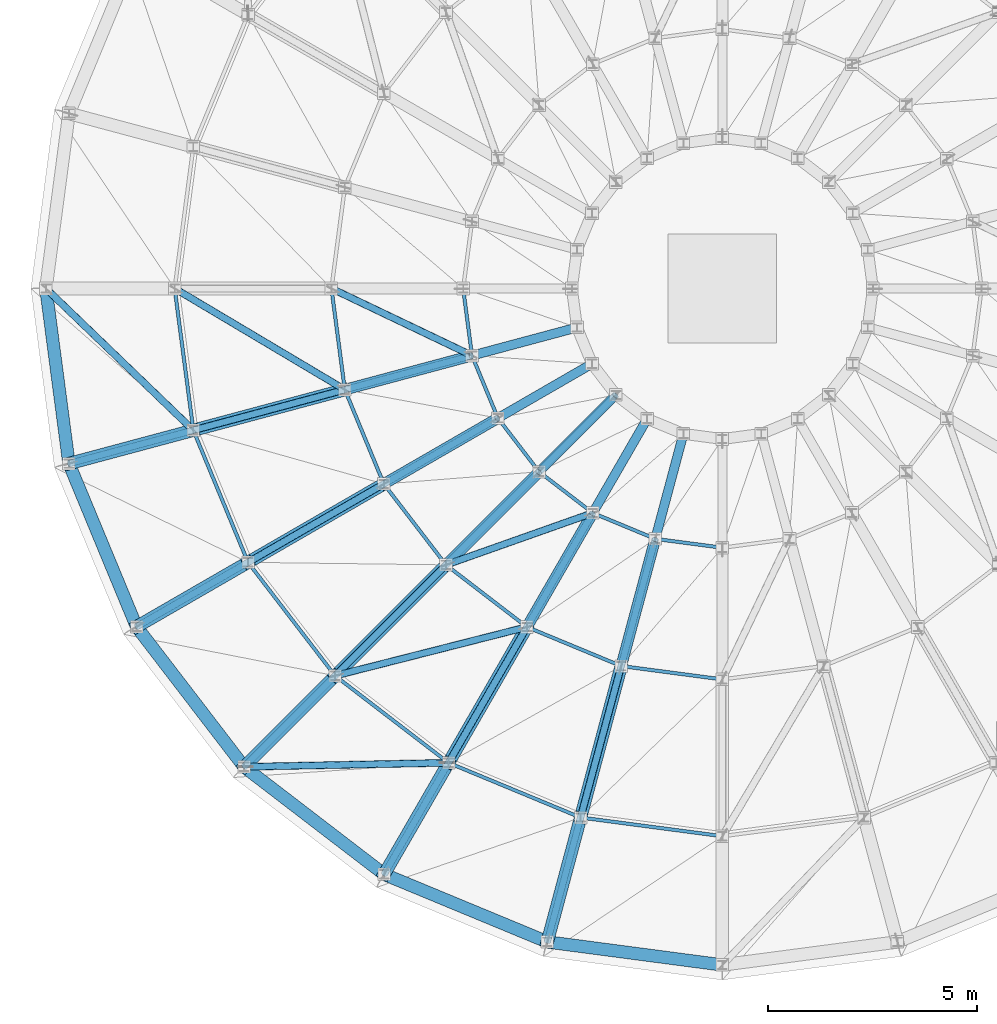
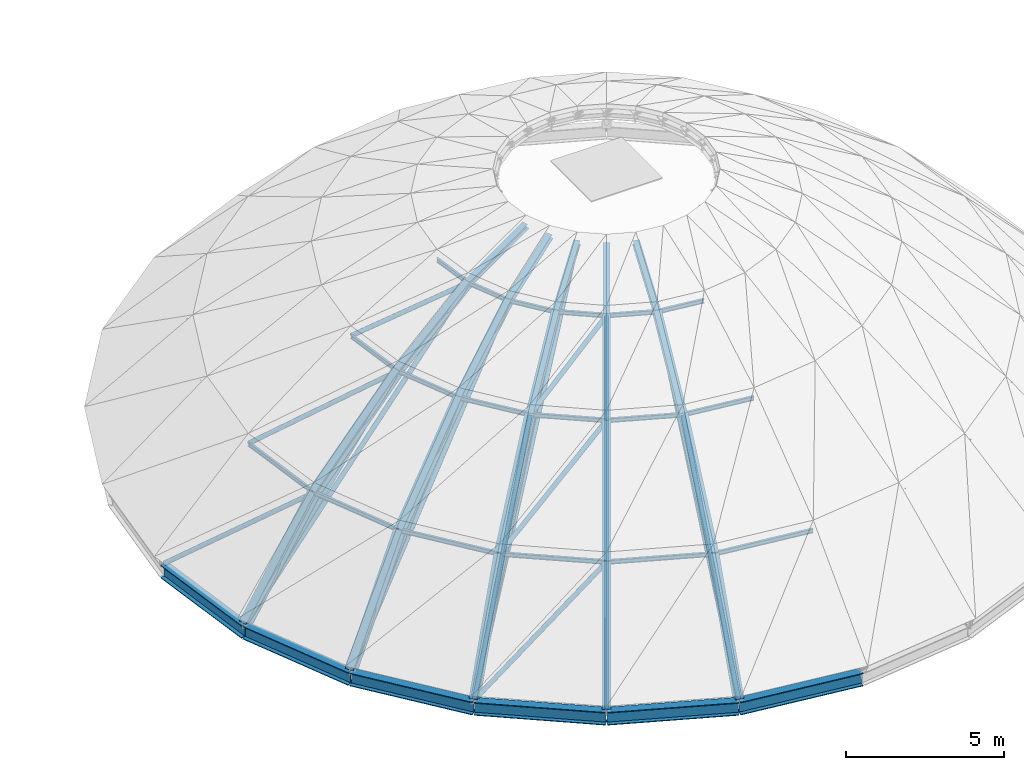
# One storey, part 1 of 19: 35 members, 26 beams.
"""IFC4 building model written with IfcOpenShell, lengths in metres."""

from ifc_helpers import new_model, si_unit, direction, frame, origin, origin_2d, place, context, subcontext, project, spatial, hollow_circle, i_section, extrude, material, material_profile, profile_set, type_object, element, save


model = new_model("IFC4")

# Units and contexts
model_context = context("Model", 3, precision=1e-05, world=origin(), true_north=direction((0.0, 1.0)))
body_context = subcontext(model_context, "Body", "Model", "MODEL_VIEW")
ifc_project = project(units=[si_unit("LENGTHUNIT", "METRE"), si_unit("AREAUNIT", "SQUARE_METRE"), si_unit("VOLUMEUNIT", "CUBIC_METRE"), si_unit("PLANEANGLEUNIT", "RADIAN"), si_unit("MASSUNIT", "GRAM", prefix="KILO")], contexts=[model_context])

# Site, building, storey
site_placement = place(None, origin())
site = spatial("IfcSite", under=ifc_project, at=site_placement, CompositionType="ELEMENT")
building_placement = place(site_placement, origin())
building = spatial("IfcBuilding", under=site, at=building_placement, Name="Montecoro Central Library", CompositionType="ELEMENT")
storey_placement = place(building_placement, frame((0.0, 0.0, 25.5)))
storey = spatial("IfcBuildingStorey", under=building, at=storey_placement, Name="ROOF", CompositionType="ELEMENT", Elevation=25.5)

# Beams
ifc_material_1 = material(Name="Steel S355J2", Category="steel")
ifc_material_profile_1 = material_profile(ifc_material_1, i_section(OverallWidth=0.219970703125, OverallDepth=0.2099609375, WebThickness=0.007080078125, FlangeThickness=0.010986328125, at=origin_2d()), Name="HEA 220")
ifc_profile_set_1 = profile_set([ifc_material_profile_1], Name="Steel S355J2")
beam_type_1 = type_object("IfcBeamType", Name="BM-DR-HEA220", PredefinedType="BEAM", material=ifc_profile_set_1)
beam_1_placement = place(storey_placement, frame((85.611083984375, 33.794921875, 0.10009765625), z_axis=(0.908409618721, 0.243413871009, 0.33991418331), x_axis=(-0.258825242926, 0.965924165566, 0.0)))
element("IfcBeam", 1, at=beam_1_placement, inside=storey, type_object=beam_type_1, Name="V1-DOME-RIB-14-S4", PredefinedType="BEAM", context=body_context, shape_type="SweptSolid", body=[
    extrude(i_section(OverallWidth=0.219970703125, OverallDepth=0.2099609375, WebThickness=0.007080078125, FlangeThickness=0.010986328125, at=origin_2d()), origin(), (0.0, 0.0, 1.0), 2.76513671875),
])
beam_2_placement = place(storey_placement, frame((86.23095703125, 32.300048828125, 0.10009765625), z_axis=(0.814347436961, 0.470325390653, 0.340047465542), x_axis=(-0.500128937424, 0.865950948929, 0.0)))
element("IfcBeam", 2, at=beam_2_placement, inside=storey, type_object=beam_type_1, Name="V1-DOME-RIB-15-S4", PredefinedType="BEAM", context=body_context, shape_type="SweptSolid", body=[
    extrude(i_section(OverallWidth=0.219970703125, OverallDepth=0.2099609375, WebThickness=0.007080078125, FlangeThickness=0.010986328125, at=origin_2d()), origin(), (0.0, 0.0, 1.0), 2.76416015625),
])
beam_3_placement = place(storey_placement, frame((87.216064453125, 31.01611328125, 0.10009765625), z_axis=(0.664961450013, 0.664961450013, 0.340077255918), x_axis=(-0.707106781187, 0.707106781187, 0.0)))
element("IfcBeam", 3, at=beam_3_placement, inside=storey, type_object=beam_type_1, Name="V1-DOME-RIB-16-S4", PredefinedType="BEAM", context=body_context, shape_type="SweptSolid", body=[
    extrude(i_section(OverallWidth=0.219970703125, OverallDepth=0.2099609375, WebThickness=0.007080078125, FlangeThickness=0.010986328125, at=origin_2d()), origin(), (0.0, 0.0, 1.0), 2.763916015625),
])
beam_4_placement = place(storey_placement, frame((88.5, 30.031005859375, 0.10009765625), z_axis=(0.470325390653, 0.814347436961, 0.340047465542), x_axis=(-0.865950948929, 0.500128937424, 0.0)))
element("IfcBeam", 4, at=beam_4_placement, inside=storey, type_object=beam_type_1, Name="V1-DOME-RIB-17-S4", PredefinedType="BEAM", context=body_context, shape_type="SweptSolid", body=[
    extrude(i_section(OverallWidth=0.219970703125, OverallDepth=0.2099609375, WebThickness=0.007080078125, FlangeThickness=0.010986328125, at=origin_2d()), origin(), (0.0, 0.0, 1.0), 2.76416015625),
])
beam_5_placement = place(storey_placement, frame((89.9951171875, 29.410888671875, 0.10009765625), z_axis=(0.243311294823, 0.908444565939, 0.339894225351), x_axis=(-0.965953916576, 0.258714187958, 0.0)))
element("IfcBeam", 5, at=beam_5_placement, inside=storey, type_object=beam_type_1, Name="V1-DOME-RIB-18-S4", PredefinedType="BEAM", context=body_context, shape_type="SweptSolid", body=[
    extrude(i_section(OverallWidth=0.219970703125, OverallDepth=0.2099609375, WebThickness=0.007080078125, FlangeThickness=0.010986328125, at=origin_2d()), origin(), (0.0, 0.0, 1.0), 2.765380859375),
])
ifc_material_profile_2 = material_profile(ifc_material_1, i_section(OverallWidth=0.260009765625, OverallDepth=0.25, WebThickness=0.007568359375, FlangeThickness=0.012451171875, at=origin_2d()), Name="HEA 260")
ifc_profile_set_2 = profile_set([ifc_material_profile_2], Name="Steel S355J2")
beam_type_2 = type_object("IfcBeamType", Name="BM-DR-HEA260", PredefinedType="BEAM", material=ifc_profile_set_2)
beam_6_placement = place(storey_placement, frame((82.569091796875, 32.97998046875, -1.75), z_axis=(0.832853598392, 0.223119206375, 0.506530061687), x_axis=(-0.258772251746, 0.965938363316, 0.0)))
element("IfcBeam", 6, at=beam_6_placement, inside=storey, type_object=beam_type_2, Name="V1-DOME-RIB-14-S3", PredefinedType="BEAM", context=body_context, shape_type="SweptSolid", body=[
    extrude(i_section(OverallWidth=0.260009765625, OverallDepth=0.25, WebThickness=0.007568359375, FlangeThickness=0.012451171875, at=origin_2d()), origin(), (0.0, 0.0, 1.0), 3.652587890625),
])
beam_7_placement = place(storey_placement, frame((83.5029296875, 30.72509765625, -1.75), z_axis=(0.746761384172, 0.431122041283, 0.506439750247), x_axis=(-0.499981869177, 0.866035871367, 0.0)))
element("IfcBeam", 7, at=beam_7_placement, inside=storey, type_object=beam_type_2, Name="V1-DOME-RIB-15-S3", PredefinedType="BEAM", context=body_context, shape_type="SweptSolid", body=[
    extrude(i_section(OverallWidth=0.260009765625, OverallDepth=0.25, WebThickness=0.007568359375, FlangeThickness=0.012451171875, at=origin_2d()), origin(), (0.0, 0.0, 1.0), 3.653076171875),
])
beam_8_placement = place(storey_placement, frame((84.989013671875, 28.7890625, -1.75), z_axis=(0.609696360037, 0.609696360037, 0.506498467042), x_axis=(-0.707106781187, 0.707106781187, 0.0)))
element("IfcBeam", 8, at=beam_8_placement, inside=storey, type_object=beam_type_2, Name="V1-DOME-RIB-16-S3", PredefinedType="BEAM", context=body_context, shape_type="SweptSolid", body=[
    extrude(i_section(OverallWidth=0.260009765625, OverallDepth=0.25, WebThickness=0.007568359375, FlangeThickness=0.012451171875, at=origin_2d()), origin(), (0.0, 0.0, 1.0), 3.65283203125),
])
beam_9_placement = place(storey_placement, frame((86.925048828125, 27.302978515625, -1.75), z_axis=(0.431122041283, 0.746761384172, 0.506439750247), x_axis=(-0.866035871367, 0.499981869177, 0.0)))
element("IfcBeam", 9, at=beam_9_placement, inside=storey, type_object=beam_type_2, Name="V1-DOME-RIB-17-S3", PredefinedType="BEAM", context=body_context, shape_type="SweptSolid", body=[
    extrude(i_section(OverallWidth=0.260009765625, OverallDepth=0.25, WebThickness=0.007568359375, FlangeThickness=0.012451171875, at=origin_2d()), origin(), (0.0, 0.0, 1.0), 3.653076171875),
])
beam_10_placement = place(storey_placement, frame((89.179931640625, 26.368896484375, -1.75), z_axis=(0.223182719587, 0.832841175818, 0.506522506449), x_axis=(-0.965918983464, 0.258844581524, 0.0)))
element("IfcBeam", 10, at=beam_10_placement, inside=storey, type_object=beam_type_2, Name="V1-DOME-RIB-18-S3", PredefinedType="BEAM", context=body_context, shape_type="SweptSolid", body=[
    extrude(i_section(OverallWidth=0.260009765625, OverallDepth=0.25, WebThickness=0.007568359375, FlangeThickness=0.012451171875, at=origin_2d()), origin(), (0.0, 0.0, 1.0), 3.652587890625),
])
ifc_material_profile_3 = material_profile(ifc_material_1, i_section(OverallWidth=0.300048828125, OverallDepth=0.2900390625, WebThickness=0.008544921875, FlangeThickness=0.013916015625, at=origin_2d()), Name="HEA 300")
ifc_profile_set_3 = profile_set([ifc_material_profile_3], Name="Steel S355J2")
beam_type_3 = type_object("IfcBeamType", Name="BM-DR-HEA300", PredefinedType="BEAM", material=ifc_profile_set_3)
beam_11_placement = place(storey_placement, frame((78.946044921875, 32.009033203125, -4.60009765625), z_axis=(0.76908288872, 0.206107995178, 0.605004962461), x_axis=(-0.258857545835, 0.965915509226, 0.0)))
element("IfcBeam", 11, at=beam_11_placement, inside=storey, type_object=beam_type_3, Name="V1-DOME-RIB-14-S2", PredefinedType="BEAM", context=body_context, shape_type="SweptSolid", body=[
    extrude(i_section(OverallWidth=0.300048828125, OverallDepth=0.2900390625, WebThickness=0.008544921875, FlangeThickness=0.013916015625, at=origin_2d()), origin(), (0.0, 0.0, 1.0), 4.7109375),
])
beam_12_placement = place(storey_placement, frame((80.2548828125, 28.85009765625, -4.60009765625), z_axis=(0.689538330018, 0.398049787623, 0.605056408947), x_axis=(-0.499947857008, 0.866055506462, 0.0)))
element("IfcBeam", 12, at=beam_12_placement, inside=storey, type_object=beam_type_3, Name="V1-DOME-RIB-15-S2", PredefinedType="BEAM", context=body_context, shape_type="SweptSolid", body=[
    extrude(i_section(OverallWidth=0.300048828125, OverallDepth=0.2900390625, WebThickness=0.008544921875, FlangeThickness=0.013916015625, at=origin_2d()), origin(), (0.0, 0.0, 1.0), 4.71044921875),
])
beam_13_placement = place(storey_placement, frame((82.3369140625, 26.136962890625, -4.60009765625), z_axis=(0.562999534848, 0.562999534848, 0.605031443415), x_axis=(-0.707106781187, 0.707106781187, 0.0)))
element("IfcBeam", 13, at=beam_13_placement, inside=storey, type_object=beam_type_3, Name="V1-DOME-RIB-16-S2", PredefinedType="BEAM", context=body_context, shape_type="SweptSolid", body=[
    extrude(i_section(OverallWidth=0.300048828125, OverallDepth=0.2900390625, WebThickness=0.008544921875, FlangeThickness=0.013916015625, at=origin_2d()), origin(), (0.0, 0.0, 1.0), 4.710693359375),
])
beam_14_placement = place(storey_placement, frame((85.050048828125, 24.054931640625, -4.60009765625), z_axis=(0.398049787623, 0.689538330018, 0.605056408947), x_axis=(-0.866055506462, 0.499947857008, 0.0)))
element("IfcBeam", 14, at=beam_14_placement, inside=storey, type_object=beam_type_3, Name="V1-DOME-RIB-17-S2", PredefinedType="BEAM", context=body_context, shape_type="SweptSolid", body=[
    extrude(i_section(OverallWidth=0.300048828125, OverallDepth=0.2900390625, WebThickness=0.008544921875, FlangeThickness=0.013916015625, at=origin_2d()), origin(), (0.0, 0.0, 1.0), 4.71044921875),
])
beam_15_placement = place(storey_placement, frame((88.208984375, 22.74609375, -4.60009765625), z_axis=(0.206116210386, 0.769061716348, 0.605029077205), x_axis=(-0.965911147405, 0.25887382123, 0.0)))
element("IfcBeam", 15, at=beam_15_placement, inside=storey, type_object=beam_type_3, Name="V1-DOME-RIB-18-S2", PredefinedType="BEAM", context=body_context, shape_type="SweptSolid", body=[
    extrude(i_section(OverallWidth=0.300048828125, OverallDepth=0.2900390625, WebThickness=0.008544921875, FlangeThickness=0.013916015625, at=origin_2d()), origin(), (0.0, 0.0, 1.0), 4.710693359375),
])
ifc_material_profile_4 = material_profile(ifc_material_1, i_section(OverallWidth=0.300048828125, OverallDepth=0.330078125, WebThickness=0.009521484375, FlangeThickness=0.0166015625, at=origin_2d()), Name="HEA 340")
ifc_profile_set_4 = profile_set([ifc_material_profile_4], Name="Steel S355J2")
beam_type_4 = type_object("IfcBeamType", Name="BM-DR-HEA340", PredefinedType="BEAM", material=ifc_profile_set_4)
beam_16_placement = place(storey_placement, frame((75.970947265625, 31.2119140625, -8.159912109375), z_axis=(0.63201485263, 0.169335999822, 0.756229161841), x_axis=(-0.258802119616, 0.9659303613, 0.0)))
element("IfcBeam", 16, at=beam_16_placement, inside=storey, type_object=beam_type_4, Name="V1-DOME-RIB-14-S1", PredefinedType="BEAM", context=body_context, shape_type="SweptSolid", body=[
    extrude(i_section(OverallWidth=0.300048828125, OverallDepth=0.330078125, WebThickness=0.009521484375, FlangeThickness=0.0166015625, at=origin_2d()), origin(), (0.0, 0.0, 1.0), 4.707275390625),
])
beam_17_placement = place(storey_placement, frame((77.587890625, 27.31005859375, -8.159912109375), z_axis=(0.566588516659, 0.327173229869, 0.756263929093), x_axis=(-0.500060979923, 0.865990194147, 0.0)))
element("IfcBeam", 17, at=beam_17_placement, inside=storey, type_object=beam_type_4, Name="V1-DOME-RIB-15-S1", PredefinedType="BEAM", context=body_context, shape_type="SweptSolid", body=[
    extrude(i_section(OverallWidth=0.300048828125, OverallDepth=0.330078125, WebThickness=0.009521484375, FlangeThickness=0.0166015625, at=origin_2d()), origin(), (0.0, 0.0, 1.0), 4.70703125),
])
beam_18_placement = place(storey_placement, frame((80.158935546875, 23.958984375, -8.159912109375), z_axis=(0.462672841133, 0.462672841133, 0.756219336011), x_axis=(-0.707106781187, 0.707106781187, 0.0)))
element("IfcBeam", 18, at=beam_18_placement, inside=storey, type_object=beam_type_4, Name="V1-DOME-RIB-16-S1", PredefinedType="BEAM", context=body_context, shape_type="SweptSolid", body=[
    extrude(i_section(OverallWidth=0.300048828125, OverallDepth=0.330078125, WebThickness=0.009521484375, FlangeThickness=0.0166015625, at=origin_2d()), origin(), (0.0, 0.0, 1.0), 4.707275390625),
])
beam_19_placement = place(storey_placement, frame((83.510009765625, 21.387939453125, -8.159912109375), z_axis=(0.327173229869, 0.566588516659, 0.756263929093), x_axis=(-0.865990194147, 0.500060979923, 0.0)))
element("IfcBeam", 19, at=beam_19_placement, inside=storey, type_object=beam_type_4, Name="V1-DOME-RIB-17-S1", PredefinedType="BEAM", context=body_context, shape_type="SweptSolid", body=[
    extrude(i_section(OverallWidth=0.300048828125, OverallDepth=0.330078125, WebThickness=0.009521484375, FlangeThickness=0.0166015625, at=origin_2d()), origin(), (0.0, 0.0, 1.0), 4.70703125),
])
beam_20_placement = place(storey_placement, frame((87.412109375, 19.77099609375, -8.159912109375), z_axis=(0.169285622331, 0.632020402488, 0.756235802452), x_axis=(-0.965950174068, 0.258728160853, 0.0)))
element("IfcBeam", 20, at=beam_20_placement, inside=storey, type_object=beam_type_4, Name="V1-DOME-RIB-18-S1", PredefinedType="BEAM", context=body_context, shape_type="SweptSolid", body=[
    extrude(i_section(OverallWidth=0.300048828125, OverallDepth=0.330078125, WebThickness=0.009521484375, FlangeThickness=0.0166015625, at=origin_2d()), origin(), (0.0, 0.0, 1.0), 4.707275390625),
])
ifc_material_profile_5 = material_profile(ifc_material_1, i_section(OverallWidth=0.300048828125, OverallDepth=0.5, WebThickness=0.014404296875, FlangeThickness=0.028076171875, at=origin_2d()), Name="HEB 500")
ifc_profile_set_5 = profile_set([ifc_material_profile_5], Name="Steel S355J2")
beam_type_5 = type_object("IfcBeamType", Name="BM-RG-HEB500", PredefinedType="USERDEFINED", material=ifc_profile_set_5)
beam_21_placement = place(storey_placement, frame((75.4208984375, 35.389892578125, -8.409912109375), z_axis=(0.130607740177, -0.99143412197, 0.0), x_axis=(0.99143412197, 0.130607740177, 0.0)))
element("IfcBeam", 21, at=beam_21_placement, inside=storey, type_object=beam_type_5, Name="V1-L03-RING-13", ObjectType="GIRDER", PredefinedType="USERDEFINED", context=body_context, shape_type="SweptSolid", body=[
    extrude(i_section(OverallWidth=0.300048828125, OverallDepth=0.5, WebThickness=0.014404296875, FlangeThickness=0.028076171875, at=origin_2d()), origin(), (0.0, 0.0, 1.0), 4.2041015625),
])
beam_22_placement = place(storey_placement, frame((75.97509765625, 31.202880859375, -8.409912109375), z_axis=(0.382717667995, -0.923865350906, 0.0), x_axis=(0.923865350906, 0.382717667995, 0.0)))
element("IfcBeam", 22, at=beam_22_placement, inside=storey, type_object=beam_type_5, Name="V1-L03-RING-14", ObjectType="GIRDER", PredefinedType="USERDEFINED", context=body_context, shape_type="SweptSolid", body=[
    extrude(i_section(OverallWidth=0.300048828125, OverallDepth=0.5, WebThickness=0.014404296875, FlangeThickness=0.028076171875, at=origin_2d()), origin(), (0.0, 0.0, 1.0), 4.203857421875),
])
for number, where, z_axis, x_axis, name in (
    (23, (77.593994140625, 27.302001953125, -8.409912109375), (0.608772883181, -0.793344551064, 0.0), (0.793344551064, 0.608772883181, 0.0), "V1-L03-RING-15"),
    (24, (80.1669921875, 23.952880859375, -8.409912109375), (0.793372600918, -0.608736327249, 0.0), (0.608736327249, 0.793372600918, 0.0), "V1-L03-RING-16"),
):
    element("IfcBeam", number, at=place(storey_placement, frame(where, z_axis=z_axis, x_axis=x_axis)), inside=storey, type_object=beam_type_5, Name=name, ObjectType="GIRDER", PredefinedType="USERDEFINED", context=body_context, shape_type="SweptSolid", body=[
        extrude(i_section(OverallWidth=0.300048828125, OverallDepth=0.5, WebThickness=0.014404296875, FlangeThickness=0.028076171875, at=origin_2d()), origin(), (0.0, 0.0, 1.0), 4.20361328125),
    ])
for number, where, z_axis, x_axis, name in (
    (25, (83.51904296875, 21.384033203125, -8.409912109375), (0.923853323529, -0.382746700319, 0.0), (0.382746700319, 0.923853323529, 0.0), "V1-L03-RING-17"),
    (26, (87.422119140625, 19.77001953125, -8.409912109375), (0.99143412197, -0.130607740177, 0.0), (0.130607740177, 0.99143412197, 0.0), "V1-L03-RING-18"),
):
    element("IfcBeam", number, at=place(storey_placement, frame(where, z_axis=z_axis, x_axis=x_axis)), inside=storey, type_object=beam_type_5, Name=name, ObjectType="GIRDER", PredefinedType="USERDEFINED", context=body_context, shape_type="SweptSolid", body=[
        extrude(i_section(OverallWidth=0.300048828125, OverallDepth=0.5, WebThickness=0.014404296875, FlangeThickness=0.028076171875, at=origin_2d()), origin(), (0.0, 0.0, 1.0), 4.2041015625),
    ])

# Members
ifc_material_2 = material(Name="Steel S355", Category="steel")
ifc_material_profile_6 = material_profile(ifc_material_2, hollow_circle(Radius=0.084228515625, WallThickness=0.008056640625, at=origin_2d()), Name="CHS 168.3x8.0")
ifc_profile_set_6 = profile_set([ifc_material_profile_6], Name="Steel S355")
member_type_1 = type_object("IfcMemberType", Name="MB-BR-CHS168", PredefinedType="BRACE", material=ifc_profile_set_6)
member_1_placement = place(storey_placement, frame((75.426025390625, 35.39404296875, -8.154052734375), z_axis=(0.582784284707, -0.560433355425, 0.588452998655), x_axis=(0.693149748718, 0.720793608359, 0.0)))
element("IfcMember", 27, at=member_1_placement, inside=storey, type_object=member_type_1, Name="V1-DOME-BR-B5-S1", PredefinedType="BRACE", context=body_context, shape_type="SweptSolid", body=[
    extrude(hollow_circle(Radius=0.084228515625, WallThickness=0.008056640625, at=origin_2d()), origin(), (0.0, 0.0, 1.0), 6.029541015625),
])
member_2_placement = place(storey_placement, frame((78.507080078125, 35.39599609375, -4.594970703125), z_axis=(0.736325679052, -0.438009374979, 0.515725005985), x_axis=(0.511242766265, 0.859436346649, 0.0)))
element("IfcMember", 28, at=member_2_placement, inside=storey, type_object=member_type_1, Name="V1-DOME-BR-B5-S2", PredefinedType="BRACE", context=body_context, shape_type="SweptSolid", body=[
    extrude(hollow_circle(Radius=0.084228515625, WallThickness=0.008056640625, at=origin_2d()), origin(), (0.0, 0.0, 1.0), 5.507080078125),
])
member_3_placement = place(storey_placement, frame((82.258056640625, 35.39599609375, -1.74609375), z_axis=(0.808140540058, -0.38581470495, 0.445034696354), x_axis=(0.430830779697, 0.902432733929, 0.0)))
element("IfcMember", 29, at=member_3_placement, inside=storey, type_object=member_type_1, Name="V1-DOME-BR-B5-S3", PredefinedType="BRACE", context=body_context, shape_type="SweptSolid", body=[
    extrude(hollow_circle(Radius=0.084228515625, WallThickness=0.008056640625, at=origin_2d()), origin(), (0.0, 0.0, 1.0), 4.13916015625),
])
member_4_placement = place(storey_placement, frame((80.1669921875, 23.958984375, -8.154052734375), z_axis=(0.808425318114, 0.015911015125, 0.588383671281), x_axis=(-0.01967767957, 0.999806375718, 0.0)))
element("IfcMember", 30, at=member_4_placement, inside=storey, type_object=member_type_1, Name="V1-DOME-BR-B6-S1", PredefinedType="BRACE", context=body_context, shape_type="SweptSolid", body=[
    extrude(hollow_circle(Radius=0.084228515625, WallThickness=0.008056640625, at=origin_2d()), origin(), (0.0, 0.0, 1.0), 6.0302734375),
])
member_5_placement = place(storey_placement, frame((82.344970703125, 26.138916015625, -4.594970703125), z_axis=(0.830316794774, 0.211048643302, 0.515783375533), x_axis=(-0.24634522407, 0.969182145202, 0.0)))
element("IfcMember", 31, at=member_5_placement, inside=storey, type_object=member_type_1, Name="V1-DOME-BR-B6-S2", PredefinedType="BRACE", context=body_context, shape_type="SweptSolid", body=[
    extrude(hollow_circle(Radius=0.084228515625, WallThickness=0.008056640625, at=origin_2d()), origin(), (0.0, 0.0, 1.0), 5.50634765625),
])
member_6_placement = place(storey_placement, frame((84.9970703125, 28.7919921875, -1.74609375), z_axis=(0.844281686201, 0.298609722475, 0.444995132545), x_axis=(-0.333443576714, 0.94277005741, 0.0)))
element("IfcMember", 32, at=member_6_placement, inside=storey, type_object=member_type_1, Name="V1-DOME-BR-B6-S3", PredefinedType="BRACE", context=body_context, shape_type="SweptSolid", body=[
    extrude(hollow_circle(Radius=0.084228515625, WallThickness=0.008056640625, at=origin_2d()), origin(), (0.0, 0.0, 1.0), 4.139404296875),
])
member_7_placement = place(storey_placement, frame((75.985107421875, 31.216064453125, -8.14599609375), z_axis=(0.704394833488, 0.188702428637, 0.684265527395), x_axis=(-0.258768381133, 0.965939400235, 0.0)))
element("IfcMember", 33, at=member_7_placement, inside=storey, type_object=member_type_1, Name="V1-DOME-SPK-R2-14", PredefinedType="BRACE", context=body_context, shape_type="SweptSolid", body=[
    extrude(hollow_circle(Radius=0.084228515625, WallThickness=0.008056640625, at=origin_2d()), origin(), (0.0, 0.0, 1.0), 9.326904296875),
])
member_8_placement = place(storey_placement, frame((75.986083984375, 31.216064453125, -8.14697265625), z_axis=(0.744131130743, 0.199389030942, 0.637583621652), x_axis=(-0.258818676196, 0.965925925137, 0.0)))
element("IfcMember", 34, at=member_8_placement, inside=storey, type_object=member_type_1, Name="V1-DOME-SPK-R3-14", PredefinedType="BRACE", context=body_context, shape_type="SweptSolid", body=[
    extrude(hollow_circle(Radius=0.084228515625, WallThickness=0.008056640625, at=origin_2d()), origin(), (0.0, 0.0, 1.0), 12.914306640625),
])
member_9_placement = place(storey_placement, frame((77.60107421875, 27.31689453125, -8.14599609375), z_axis=(0.631438214838, 0.364684953813, 0.684317664031), x_axis=(-0.500127462921, 0.865951800525, 0.0)))
element("IfcMember", 35, at=member_9_placement, inside=storey, type_object=member_type_1, Name="V1-DOME-SPK-R2-15", PredefinedType="BRACE", context=body_context, shape_type="SweptSolid", body=[
    extrude(hollow_circle(Radius=0.084228515625, WallThickness=0.008056640625, at=origin_2d()), origin(), (0.0, 0.0, 1.0), 9.326171875),
])
member_10_placement = place(storey_placement, frame((77.60107421875, 27.318115234375, -8.14697265625), z_axis=(0.667222627018, 0.385134624741, 0.63756198665), x_axis=(-0.499915750474, 0.866074039807, 0.0)))
element("IfcMember", 36, at=member_10_placement, inside=storey, type_object=member_type_1, Name="V1-DOME-SPK-R3-15", PredefinedType="BRACE", context=body_context, shape_type="SweptSolid", body=[
    extrude(hollow_circle(Radius=0.084228515625, WallThickness=0.008056640625, at=origin_2d()), origin(), (0.0, 0.0, 1.0), 12.91455078125),
])
member_11_placement = place(storey_placement, frame((80.1689453125, 23.968994140625, -8.14599609375), z_axis=(0.515679746126, 0.515679746126, 0.684214000786), x_axis=(-0.707106781187, 0.707106781187, 0.0)))
element("IfcMember", 37, at=member_11_placement, inside=storey, type_object=member_type_1, Name="V1-DOME-SPK-R2-16", PredefinedType="BRACE", context=body_context, shape_type="SweptSolid", body=[
    extrude(hollow_circle(Radius=0.084228515625, WallThickness=0.008056640625, at=origin_2d()), origin(), (0.0, 0.0, 1.0), 9.32763671875),
])
member_12_placement = place(storey_placement, frame((80.169921875, 23.969970703125, -8.14697265625), z_axis=(0.544755180654, 0.544736276046, 0.637576805342), x_axis=(-0.707094511524, 0.707119050636, 0.0)))
element("IfcMember", 38, at=member_12_placement, inside=storey, type_object=member_type_1, Name="V1-DOME-SPK-R3-16", PredefinedType="BRACE", context=body_context, shape_type="SweptSolid", body=[
    extrude(hollow_circle(Radius=0.084228515625, WallThickness=0.008056640625, at=origin_2d()), origin(), (0.0, 0.0, 1.0), 12.914306640625),
])
member_13_placement = place(storey_placement, frame((80.169921875, 23.969970703125, -8.14794921875), z_axis=(0.570780549101, 0.570780549101, 0.590270386803), x_axis=(-0.707106781187, 0.707106781187, 0.0)))
element("IfcMember", 39, at=member_13_placement, inside=storey, type_object=member_type_1, Name="V1-DOME-SPK-R4-16", PredefinedType="BRACE", context=body_context, shape_type="SweptSolid", body=[
    extrude(hollow_circle(Radius=0.084228515625, WallThickness=0.008056640625, at=origin_2d()), origin(), (0.0, 0.0, 1.0), 15.54541015625),
])
member_14_placement = place(storey_placement, frame((83.51708984375, 21.40087890625, -8.14599609375), z_axis=(0.364656229213, 0.631459982848, 0.684312884986), x_axis=(-0.865976326759, 0.500084994269, 0.0)))
element("IfcMember", 40, at=member_14_placement, inside=storey, type_object=member_type_1, Name="V1-DOME-SPK-R2-17", PredefinedType="BRACE", context=body_context, shape_type="SweptSolid", body=[
    extrude(hollow_circle(Radius=0.084228515625, WallThickness=0.008056640625, at=origin_2d()), origin(), (0.0, 0.0, 1.0), 9.326171875),
])
member_15_placement = place(storey_placement, frame((83.51806640625, 21.40087890625, -8.14697265625), z_axis=(0.38512976695, 0.667233115116, 0.637553944934), x_axis=(-0.866080172082, 0.499905126525, 0.0)))
element("IfcMember", 41, at=member_15_placement, inside=storey, type_object=member_type_1, Name="V1-DOME-SPK-R3-17", PredefinedType="BRACE", context=body_context, shape_type="SweptSolid", body=[
    extrude(hollow_circle(Radius=0.084228515625, WallThickness=0.008056640625, at=origin_2d()), origin(), (0.0, 0.0, 1.0), 12.914794921875),
])
member_16_placement = place(storey_placement, frame((87.416015625, 19.784912109375, -8.14599609375), z_axis=(0.188698949334, 0.704408021298, 0.684252910882), x_axis=(-0.96594180369, 0.258759409268, 0.0)))
element("IfcMember", 42, at=member_16_placement, inside=storey, type_object=member_type_1, Name="V1-DOME-SPK-R2-18", PredefinedType="BRACE", context=body_context, shape_type="SweptSolid", body=[
    extrude(hollow_circle(Radius=0.084228515625, WallThickness=0.008056640625, at=origin_2d()), origin(), (0.0, 0.0, 1.0), 9.3271484375),
])
member_17_placement = place(storey_placement, frame((87.416015625, 19.785888671875, -8.14697265625), z_axis=(0.199386226029, 0.744139567193, 0.637574652419), x_axis=(-0.965927568913, 0.258812541456, 0.0)))
element("IfcMember", 43, at=member_17_placement, inside=storey, type_object=member_type_1, Name="V1-DOME-SPK-R3-18", PredefinedType="BRACE", context=body_context, shape_type="SweptSolid", body=[
    extrude(hollow_circle(Radius=0.084228515625, WallThickness=0.008056640625, at=origin_2d()), origin(), (0.0, 0.0, 1.0), 12.914306640625),
])
ifc_material_profile_7 = material_profile(ifc_material_2, i_section(OverallWidth=0.08203125, OverallDepth=0.159912109375, WebThickness=0.0048828125, FlangeThickness=0.00732421875, at=origin_2d()), Name="IPE 160")
ifc_profile_set_7 = profile_set([ifc_material_profile_7], Name="Steel S355")
member_type_2 = type_object("IfcMemberType", Name="MB-PR-IPE160", PredefinedType="PURLIN", material=ifc_profile_set_7)
for number, where, z_axis, x_axis, name in (
    (44, (78.5009765625, 35.389892578125, -4.60009765625), (0.130616112234, -0.991433019031, 0.0), (0.991433019031, 0.130616112234, 0.0), "V1-DOME-RNG1-13"),
    (45, (78.949951171875, 32.0, -4.60009765625), (0.382666779591, -0.92388643014, 0.0), (0.92388643014, 0.382666779591, 0.0), "V1-DOME-RNG1-14"),
    (46, (80.260986328125, 28.842041015625, -4.60009765625), (0.6088671291, -0.79327222257, 0.0), (0.79327222257, 0.6088671291, 0.0), "V1-DOME-RNG1-15"),
    (47, (82.344970703125, 26.131103515625, -4.60009765625), (0.79327222257, -0.6088671291, 0.0), (0.6088671291, 0.79327222257, 0.0), "V1-DOME-RNG1-16"),
):
    element("IfcMember", number, at=place(storey_placement, frame(where, z_axis=z_axis, x_axis=x_axis)), inside=storey, type_object=member_type_2, Name=name, PredefinedType="PURLIN", context=body_context, shape_type="SweptSolid", body=[
        extrude(i_section(OverallWidth=0.08203125, OverallDepth=0.159912109375, WebThickness=0.0048828125, FlangeThickness=0.00732421875, at=origin_2d()), origin(), (0.0, 0.0, 1.0), 3.39990234375),
    ])
member_18_placement = place(storey_placement, frame((85.05908203125, 24.051025390625, -4.60009765625), z_axis=(0.923875913917, -0.382692168307, 0.0), x_axis=(0.382692168307, 0.923875913917, 0.0)))
element("IfcMember", 48, at=member_18_placement, inside=storey, type_object=member_type_2, Name="V1-DOME-RNG1-17", PredefinedType="PURLIN", context=body_context, shape_type="SweptSolid", body=[
    extrude(i_section(OverallWidth=0.08203125, OverallDepth=0.159912109375, WebThickness=0.0048828125, FlangeThickness=0.00732421875, at=origin_2d()), origin(), (0.0, 0.0, 1.0), 3.399658203125),
])
member_19_placement = place(storey_placement, frame((88.218994140625, 22.7451171875, -4.60009765625), z_axis=(0.991434243961, -0.130606814149, 0.0), x_axis=(0.130606814149, 0.991434243961, 0.0)))
element("IfcMember", 49, at=member_19_placement, inside=storey, type_object=member_type_2, Name="V1-DOME-RNG1-18", PredefinedType="PURLIN", context=body_context, shape_type="SweptSolid", body=[
    extrude(i_section(OverallWidth=0.08203125, OverallDepth=0.159912109375, WebThickness=0.0048828125, FlangeThickness=0.00732421875, at=origin_2d()), origin(), (0.0, 0.0, 1.0), 3.400146484375),
])
member_20_placement = place(storey_placement, frame((82.2509765625, 35.389892578125, -1.75), z_axis=(0.131007568379, -0.991381368106, 0.0), x_axis=(0.991381368106, 0.131007568379, 0.0)))
element("IfcMember", 50, at=member_20_placement, inside=storey, type_object=member_type_2, Name="V1-DOME-RNG2-13", PredefinedType="PURLIN", context=body_context, shape_type="SweptSolid", body=[
    extrude(i_section(OverallWidth=0.08203125, OverallDepth=0.159912109375, WebThickness=0.0048828125, FlangeThickness=0.00732421875, at=origin_2d()), origin(), (0.0, 0.0, 1.0), 2.420654296875),
])
member_21_placement = place(storey_placement, frame((82.572998046875, 32.970947265625, -1.75), z_axis=(0.382473510025, -0.923966457253, 0.0), x_axis=(0.923966457253, 0.382473510025, 0.0)))
element("IfcMember", 51, at=member_21_placement, inside=storey, type_object=member_type_2, Name="V1-DOME-RNG2-14", PredefinedType="PURLIN", context=body_context, shape_type="SweptSolid", body=[
    extrude(i_section(OverallWidth=0.08203125, OverallDepth=0.159912109375, WebThickness=0.0048828125, FlangeThickness=0.00732421875, at=origin_2d()), origin(), (0.0, 0.0, 1.0), 2.421142578125),
])
for number, where, z_axis, x_axis, name in (
    (52, (83.509033203125, 30.717041015625, -1.75), (0.608935404137, -0.793219814168, 0.0), (0.793219814168, 0.608935404137, 0.0), "V1-DOME-RNG2-15"),
    (53, (84.9970703125, 28.782958984375, -1.75), (0.793219814168, -0.608935404137, 0.0), (0.608935404137, 0.793219814168, 0.0), "V1-DOME-RNG2-16"),
):
    element("IfcMember", number, at=place(storey_placement, frame(where, z_axis=z_axis, x_axis=x_axis)), inside=storey, type_object=member_type_2, Name=name, PredefinedType="PURLIN", context=body_context, shape_type="SweptSolid", body=[
        extrude(i_section(OverallWidth=0.08203125, OverallDepth=0.159912109375, WebThickness=0.0048828125, FlangeThickness=0.00732421875, at=origin_2d()), origin(), (0.0, 0.0, 1.0), 2.42041015625),
    ])
for number, where, z_axis, x_axis, name in (
    (54, (86.93408203125, 27.299072265625, -1.75), (0.923951704199, -0.382509148006, 0.0), (0.382509148006, 0.923951704199, 0.0), "V1-DOME-RNG2-17"),
    (55, (89.18994140625, 26.367919921875, -1.75), (0.991396189985, -0.130895356993, 0.0), (0.130895356993, 0.991396189985, 0.0), "V1-DOME-RNG2-18"),
):
    element("IfcMember", number, at=place(storey_placement, frame(where, z_axis=z_axis, x_axis=x_axis)), inside=storey, type_object=member_type_2, Name=name, PredefinedType="PURLIN", context=body_context, shape_type="SweptSolid", body=[
        extrude(i_section(OverallWidth=0.08203125, OverallDepth=0.159912109375, WebThickness=0.0048828125, FlangeThickness=0.00732421875, at=origin_2d()), origin(), (0.0, 0.0, 1.0), 2.4208984375),
    ])
for number, where, z_axis, x_axis, name in (
    (56, (85.40087890625, 35.389892578125, 0.10009765625), (0.13087323441, -0.991399110608, 0.0), (0.991399110608, 0.13087323441, 0.0), "V1-DOME-RNG3-13"),
    (57, (85.614990234375, 33.785888671875, 0.10009765625), (0.382868809909, -0.923802724827, 0.0), (0.923802724827, 0.382868809909, 0.0), "V1-DOME-RNG3-14"),
):
    element("IfcMember", number, at=place(storey_placement, frame(where, z_axis=z_axis, x_axis=x_axis)), inside=storey, type_object=member_type_2, Name=name, PredefinedType="PURLIN", context=body_context, shape_type="SweptSolid", body=[
        extrude(i_section(OverallWidth=0.08203125, OverallDepth=0.159912109375, WebThickness=0.0048828125, FlangeThickness=0.00732421875, at=origin_2d()), origin(), (0.0, 0.0, 1.0), 1.5986328125),
    ])
member_22_placement = place(storey_placement, frame((86.237060546875, 32.2919921875, 0.10009765625), z_axis=(0.608713704828, -0.793389958062, 0.0), x_axis=(0.793389958062, 0.608713704828, 0.0)))
element("IfcMember", 58, at=member_22_placement, inside=storey, type_object=member_type_2, Name="V1-DOME-RNG3-15", PredefinedType="PURLIN", context=body_context, shape_type="SweptSolid", body=[
    extrude(i_section(OverallWidth=0.08203125, OverallDepth=0.159912109375, WebThickness=0.0048828125, FlangeThickness=0.00732421875, at=origin_2d()), origin(), (0.0, 0.0, 1.0), 1.598388671875),
])
member_23_placement = place(storey_placement, frame((87.22412109375, 31.010009765625, 0.10009765625), z_axis=(0.793333348491, -0.608787481944, 0.0), x_axis=(0.608787481944, 0.793333348491, 0.0)))
element("IfcMember", 59, at=member_23_placement, inside=storey, type_object=member_type_2, Name="V1-DOME-RNG3-16", PredefinedType="PURLIN", context=body_context, shape_type="SweptSolid", body=[
    extrude(i_section(OverallWidth=0.08203125, OverallDepth=0.159912109375, WebThickness=0.0048828125, FlangeThickness=0.00732421875, at=origin_2d()), origin(), (0.0, 0.0, 1.0), 1.59814453125),
])
for number, where, z_axis, x_axis, name in (
    (60, (88.509033203125, 30.027099609375, 0.10009765625), (0.923825107077, -0.382814800569, 0.0), (0.382814800569, 0.923825107077, 0.0), "V1-DOME-RNG3-17"),
    (61, (90.0048828125, 29.409912109375, 0.10009765625), (0.99142152258, -0.130703345654, 0.0), (0.130703345654, 0.99142152258, 0.0), "V1-DOME-RNG3-18"),
):
    element("IfcMember", number, at=place(storey_placement, frame(where, z_axis=z_axis, x_axis=x_axis)), inside=storey, type_object=member_type_2, Name=name, PredefinedType="PURLIN", context=body_context, shape_type="SweptSolid", body=[
        extrude(i_section(OverallWidth=0.08203125, OverallDepth=0.159912109375, WebThickness=0.0048828125, FlangeThickness=0.00732421875, at=origin_2d()), origin(), (0.0, 0.0, 1.0), 1.598876953125),
    ])

save(model, "model.ifc")
